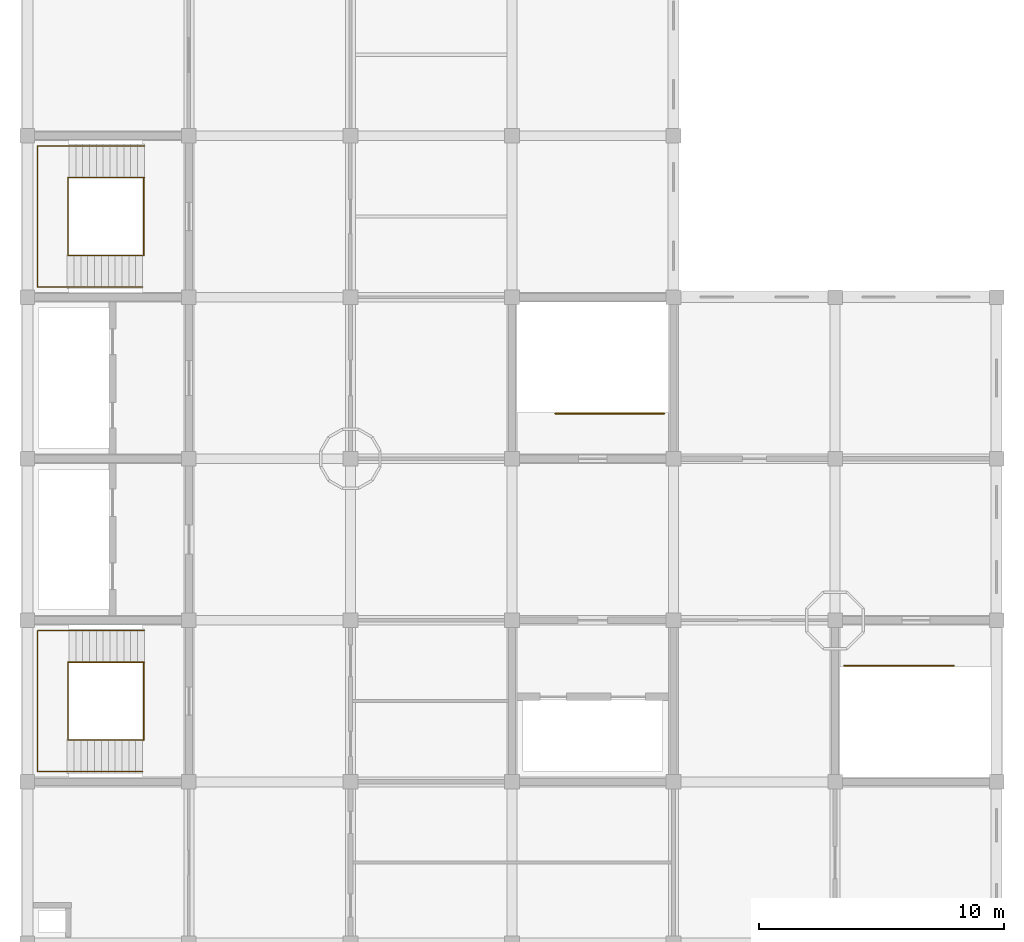
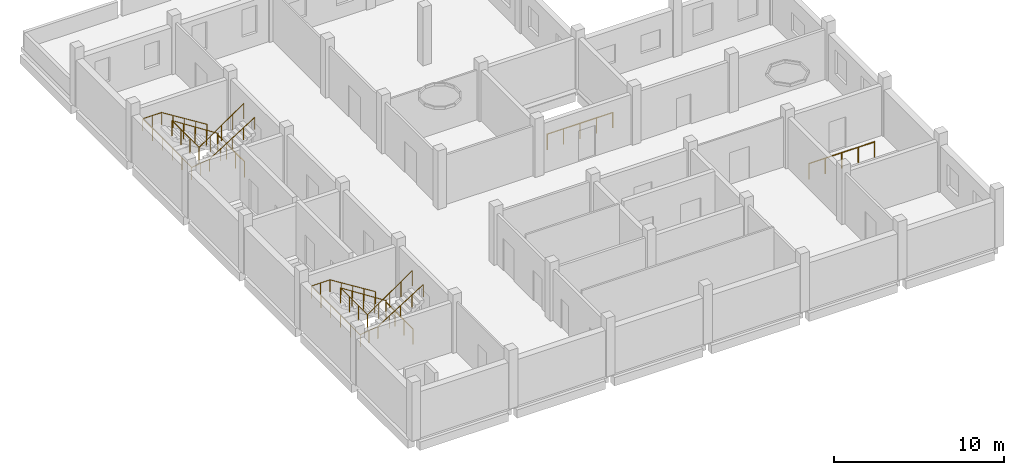
# One storey, part 6 of 6: 8 railings.
"""IFC4 building model written with IfcOpenShell, lengths in metres."""

from ifc_helpers import new_model, si_unit, direction, frame, origin, origin_2d, place, context, subcontext, project, spatial, circle, extrude, material, type_object, element, save


model = new_model("IFC4")

# Units and contexts
model_context = context("Model", 3, precision=1e-05, world=origin(), true_north=direction((0.0, 1.0)))
body_context = subcontext(model_context, "Body", "Model", "MODEL_VIEW")
ifc_project = project(units=[si_unit("LENGTHUNIT", "METRE"), si_unit("AREAUNIT", "SQUARE_METRE"), si_unit("VOLUMEUNIT", "CUBIC_METRE"), si_unit("PLANEANGLEUNIT", "RADIAN"), si_unit("MASSUNIT", "GRAM", prefix="KILO")], contexts=[model_context])

# Site, building, storey
site_placement = place(None, origin())
site = spatial("IfcSite", under=ifc_project, at=site_placement, CompositionType="ELEMENT")
building_placement = place(site_placement, origin())
building = spatial("IfcBuilding", under=site, at=building_placement, Name="Rusizi Kubbe Research Institute", CompositionType="ELEMENT")
storey_placement = place(building_placement, frame((0.0, 0.0, 69.0)))
storey = spatial("IfcBuildingStorey", under=building, at=storey_placement, Name="L16", CompositionType="ELEMENT", Elevation=69.0)

# Railings
ifc_material_1 = material(Name="Painted Steel Stair Guard", Category="steel")
railing_type_1 = type_object("IfcRailingType", Name="GR-STAIR", PredefinedType="GUARDRAIL", material=ifc_material_1)
railing_1_placement = place(storey_placement, frame((4.780029296875, 11.489990234375, 0.08740234375)))
element("IfcRailing", 1, at=railing_1_placement, inside=storey, type_object=railing_type_1, Name="Stair Inner Well Guard ST1 L16", PredefinedType="GUARDRAIL", context=body_context, shape_type="SweptSolid", body=[
    extrude(circle(Radius=0.02392578125, at=origin_2d()), frame((0.0, 0.0, 1.09619140625), z_axis=(-0.840331431664, 0.0, 0.542072951693), x_axis=(0.0, -1.0, 0.0)), (0.0, 0.0, 1.0), 3.712890625),
    extrude(circle(Radius=0.02392578125, at=origin_2d()), frame((-3.1201171875, 0.0, 3.10888671875), z_axis=(0.0, -1.0, 0.0), x_axis=(1.0, 0.0, 0.0)), (0.0, 0.0, 1.0), 3.179931640625),
    extrude(circle(Radius=0.02392578125, at=origin_2d()), frame((-3.1201171875, -3.179931640625, 3.10888671875), z_axis=(0.822798317177, 0.0, 0.568333466595), x_axis=(0.0, 1.0, 0.0)), (0.0, 0.0, 1.0), 3.69482421875),
    extrude(circle(Radius=0.02099609375, at=origin_2d()), origin(), (0.0, 0.0, 1.0), 1.072021484375),
    extrude(circle(Radius=0.02099609375, at=origin_2d()), frame((-0.780029296875, 0.0, 0.503173828125)), (0.0, 0.0, 1.0), 1.072021484375),
    extrude(circle(Radius=0.02099609375, at=origin_2d()), frame((-1.56005859375, 0.0, 1.00634765625)), (0.0, 0.0, 1.0), 1.072021484375),
    extrude(circle(Radius=0.02099609375, at=origin_2d()), frame((-2.340087890625, 0.0, 1.509521484375)), (0.0, 0.0, 1.0), 1.072021484375),
    extrude(circle(Radius=0.02099609375, at=origin_2d()), frame((-3.1201171875, 0.0, 2.0126953125)), (0.0, 0.0, 1.0), 1.072021484375),
    extrude(circle(Radius=0.02099609375, at=origin_2d()), frame((-3.1201171875, -1.06005859375, 2.0126953125)), (0.0, 0.0, 1.0), 1.072021484375),
    extrude(circle(Radius=0.02099609375, at=origin_2d()), frame((-3.1201171875, -2.119873046875, 2.0126953125)), (0.0, 0.0, 1.0), 1.072021484375),
    extrude(circle(Radius=0.02099609375, at=origin_2d()), frame((-3.1201171875, -3.179931640625, 2.0126953125)), (0.0, 0.0, 1.0), 1.072021484375),
    extrude(circle(Radius=0.02099609375, at=origin_2d()), frame((-2.360107421875, -3.179931640625, 2.53759765625)), (0.0, 0.0, 1.0), 1.072021484375),
    extrude(circle(Radius=0.02099609375, at=origin_2d()), frame((-1.60009765625, -3.179931640625, 3.0625)), (0.0, 0.0, 1.0), 1.072021484375),
    extrude(circle(Radius=0.02099609375, at=origin_2d()), frame((-0.840087890625, -3.179931640625, 3.587646484375)), (0.0, 0.0, 1.0), 1.072021484375),
    extrude(circle(Radius=0.02099609375, at=origin_2d()), frame((-0.080078125, -3.179931640625, 4.112548828125)), (0.0, 0.0, 1.0), 1.072021484375),
])
railing_2_placement = place(storey_placement, frame((4.75, 11.489990234375, 0.0)))
element("IfcRailing", 2, at=railing_2_placement, inside=storey, type_object=railing_type_1, Name="Stair Floor Edge Guard ST1 L16", PredefinedType="GUARDRAIL", context=body_context, shape_type="SweptSolid", body=[
    extrude(circle(Radius=0.02392578125, at=origin_2d()), frame((0.0, 0.0, 1.09619140625), z_axis=(0.0, -1.0, 0.0), x_axis=(1.0, 0.0, 0.0)), (0.0, 0.0, 1.0), 3.179931640625),
    extrude(circle(Radius=0.02099609375, at=origin_2d()), origin(), (0.0, 0.0, 1.0), 1.072021484375),
    extrude(circle(Radius=0.02099609375, at=origin_2d()), frame((0.0, -1.06005859375, 0.0)), (0.0, 0.0, 1.0), 1.072021484375),
    extrude(circle(Radius=0.02099609375, at=origin_2d()), frame((0.0, -2.119873046875, 0.0)), (0.0, 0.0, 1.0), 1.072021484375),
    extrude(circle(Radius=0.02099609375, at=origin_2d()), frame((0.0, -3.179931640625, 0.0)), (0.0, 0.0, 1.0), 1.072021484375),
])
railing_3_placement = place(storey_placement, frame((4.780029296875, 31.2900390625, 0.08740234375)))
element("IfcRailing", 3, at=railing_3_placement, inside=storey, type_object=railing_type_1, Name="Stair Inner Well Guard ST2 L16", PredefinedType="GUARDRAIL", context=body_context, shape_type="SweptSolid", body=[
    extrude(circle(Radius=0.02392578125, at=origin_2d()), frame((0.0, 0.0, 1.09619140625), z_axis=(-0.840331431664, 0.0, 0.542072951693), x_axis=(0.0, -1.0, 0.0)), (0.0, 0.0, 1.0), 3.712890625),
    extrude(circle(Radius=0.02392578125, at=origin_2d()), frame((-3.1201171875, 0.0, 3.10888671875), z_axis=(0.0, -1.0, 0.0), x_axis=(1.0, 0.0, 0.0)), (0.0, 0.0, 1.0), 3.179931640625),
    extrude(circle(Radius=0.02392578125, at=origin_2d()), frame((-3.1201171875, -3.179931640625, 3.10888671875), z_axis=(0.822798317177, 0.0, 0.568333466595), x_axis=(0.0, 1.0, 0.0)), (0.0, 0.0, 1.0), 3.69482421875),
    extrude(circle(Radius=0.02099609375, at=origin_2d()), origin(), (0.0, 0.0, 1.0), 1.072021484375),
    extrude(circle(Radius=0.02099609375, at=origin_2d()), frame((-0.780029296875, 0.0, 0.503173828125)), (0.0, 0.0, 1.0), 1.072021484375),
    extrude(circle(Radius=0.02099609375, at=origin_2d()), frame((-1.56005859375, 0.0, 1.00634765625)), (0.0, 0.0, 1.0), 1.072021484375),
    extrude(circle(Radius=0.02099609375, at=origin_2d()), frame((-2.340087890625, 0.0, 1.509521484375)), (0.0, 0.0, 1.0), 1.072021484375),
    extrude(circle(Radius=0.02099609375, at=origin_2d()), frame((-3.1201171875, 0.0, 2.0126953125)), (0.0, 0.0, 1.0), 1.072021484375),
    extrude(circle(Radius=0.02099609375, at=origin_2d()), frame((-3.1201171875, -1.06005859375, 2.0126953125)), (0.0, 0.0, 1.0), 1.072021484375),
    extrude(circle(Radius=0.02099609375, at=origin_2d()), frame((-3.1201171875, -2.119873046875, 2.0126953125)), (0.0, 0.0, 1.0), 1.072021484375),
    extrude(circle(Radius=0.02099609375, at=origin_2d()), frame((-3.1201171875, -3.179931640625, 2.0126953125)), (0.0, 0.0, 1.0), 1.072021484375),
    extrude(circle(Radius=0.02099609375, at=origin_2d()), frame((-2.360107421875, -3.179931640625, 2.53759765625)), (0.0, 0.0, 1.0), 1.072021484375),
    extrude(circle(Radius=0.02099609375, at=origin_2d()), frame((-1.60009765625, -3.179931640625, 3.0625)), (0.0, 0.0, 1.0), 1.072021484375),
    extrude(circle(Radius=0.02099609375, at=origin_2d()), frame((-0.840087890625, -3.179931640625, 3.587646484375)), (0.0, 0.0, 1.0), 1.072021484375),
    extrude(circle(Radius=0.02099609375, at=origin_2d()), frame((-0.080078125, -3.179931640625, 4.112548828125)), (0.0, 0.0, 1.0), 1.072021484375),
])
railing_4_placement = place(storey_placement, frame((4.75, 31.2900390625, 0.0)))
element("IfcRailing", 4, at=railing_4_placement, inside=storey, type_object=railing_type_1, Name="Stair Floor Edge Guard ST2 L16", PredefinedType="GUARDRAIL", context=body_context, shape_type="SweptSolid", body=[
    extrude(circle(Radius=0.02392578125, at=origin_2d()), frame((0.0, 0.0, 1.09619140625), z_axis=(0.0, -1.0, 0.0), x_axis=(1.0, 0.0, 0.0)), (0.0, 0.0, 1.0), 3.179931640625),
    extrude(circle(Radius=0.02099609375, at=origin_2d()), origin(), (0.0, 0.0, 1.0), 1.072021484375),
    extrude(circle(Radius=0.02099609375, at=origin_2d()), frame((0.0, -1.06005859375, 0.0)), (0.0, 0.0, 1.0), 1.072021484375),
    extrude(circle(Radius=0.02099609375, at=origin_2d()), frame((0.0, -2.119873046875, 0.0)), (0.0, 0.0, 1.0), 1.072021484375),
    extrude(circle(Radius=0.02099609375, at=origin_2d()), frame((0.0, -3.179931640625, 0.0)), (0.0, 0.0, 1.0), 1.072021484375),
])
railing_5_placement = place(storey_placement, frame((26.02001953125, 21.64990234375, 0.0)))
element("IfcRailing", 5, at=railing_5_placement, inside=storey, type_object=railing_type_1, Name="Top Landing Well Guard ST3 L16", PredefinedType="GUARDRAIL", context=body_context, shape_type="SweptSolid", body=[
    extrude(circle(Radius=0.02392578125, at=origin_2d()), frame((0.0, 0.0, 1.09619140625), z_axis=(-1.0, 0.0, 0.0), x_axis=(0.0, -1.0, 0.0)), (0.0, 0.0, 1.0), 4.4599609375),
    extrude(circle(Radius=0.02099609375, at=origin_2d()), origin(), (0.0, 0.0, 1.0), 1.072021484375),
    extrude(circle(Radius=0.02099609375, at=origin_2d()), frame((-1.114990234375, 0.0, 0.0)), (0.0, 0.0, 1.0), 1.072021484375),
    extrude(circle(Radius=0.02099609375, at=origin_2d()), frame((-2.22998046875, 0.0, 0.0)), (0.0, 0.0, 1.0), 1.072021484375),
    extrude(circle(Radius=0.02099609375, at=origin_2d()), frame((-3.344970703125, 0.0, 0.0)), (0.0, 0.0, 1.0), 1.072021484375),
    extrude(circle(Radius=0.02099609375, at=origin_2d()), frame((-4.4599609375, 0.0, 0.0)), (0.0, 0.0, 1.0), 1.072021484375),
])
railing_6_placement = place(storey_placement, frame((33.3798828125, 11.35009765625, 0.0)))
element("IfcRailing", 6, at=railing_6_placement, inside=storey, type_object=railing_type_1, Name="Top Landing Well Guard ST4 L16", PredefinedType="GUARDRAIL", context=body_context, shape_type="SweptSolid", body=[
    extrude(circle(Radius=0.02392578125, at=origin_2d()), frame((0.0, 0.0, 1.09619140625), z_axis=(1.0, 0.0, 0.0), x_axis=(0.0, 1.0, 0.0)), (0.0, 0.0, 1.0), 4.460205078125),
    extrude(circle(Radius=0.02099609375, at=origin_2d()), origin(), (0.0, 0.0, 1.0), 1.072021484375),
    extrude(circle(Radius=0.02099609375, at=origin_2d()), frame((1.114990234375, 0.0, 0.0)), (0.0, 0.0, 1.0), 1.072021484375),
    extrude(circle(Radius=0.02099609375, at=origin_2d()), frame((2.22998046875, 0.0, 0.0)), (0.0, 0.0, 1.0), 1.072021484375),
    extrude(circle(Radius=0.02099609375, at=origin_2d()), frame((3.34521484375, 0.0, 0.0)), (0.0, 0.0, 1.0), 1.072021484375),
    extrude(circle(Radius=0.02099609375, at=origin_2d()), frame((4.460205078125, 0.0, 0.0)), (0.0, 0.0, 1.0), 1.072021484375),
])
ifc_material_2 = material(Name="Brushed Stainless Steel Handrail", Category="steel")
railing_type_2 = type_object("IfcRailingType", Name="HR-STAIR", PredefinedType="HANDRAIL", material=ifc_material_2)
railing_7_placement = place(storey_placement, frame((4.780029296875, 12.780029296875, 0.175048828125)))
element("IfcRailing", 7, at=railing_7_placement, inside=storey, type_object=railing_type_2, Name="Stair Wall Handrail ST1 L16", PredefinedType="HANDRAIL", context=body_context, shape_type="SweptSolid", body=[
    extrude(circle(Radius=0.02392578125, at=origin_2d()), frame((0.0, 0.0, 0.8759765625), z_axis=(-0.847998304005, 0.0, 0.529998940003), x_axis=(0.0, -1.0, 0.0)), (0.0, 0.0, 1.0), 3.632080078125),
    extrude(circle(Radius=0.02392578125, at=origin_2d()), frame((-3.080078125, 0.0, 2.80078125), z_axis=(-1.0, 0.0, 0.0), x_axis=(0.0, -1.0, 0.0)), (0.0, 0.0, 1.0), 1.280029296875),
    extrude(circle(Radius=0.02392578125, at=origin_2d()), frame((-4.360107421875, 0.0, 2.80078125), z_axis=(0.0, -1.0, 0.0), x_axis=(1.0, 0.0, 0.0)), (0.0, 0.0, 1.0), 5.760009765625),
    extrude(circle(Radius=0.02392578125, at=origin_2d()), frame((-4.360107421875, -5.760009765625, 2.80078125), z_axis=(0.98965895042, 0.0, 0.143440447065), x_axis=(0.0, 1.0, 0.0)), (0.0, 0.0, 1.0), 1.21875),
    extrude(circle(Radius=0.02392578125, at=origin_2d()), frame((-3.154052734375, -5.760009765625, 2.9755859375), z_axis=(0.847525270172, 0.0, 0.530755043706), x_axis=(0.0, 1.0, 0.0)), (0.0, 0.0, 1.0), 3.626953125),
    extrude(circle(Radius=0.02099609375, at=origin_2d()), origin(), (0.0, 0.0, 1.0), 0.851806640625),
    extrude(circle(Radius=0.02099609375, at=origin_2d()), frame((-0.77001953125, 0.0, 0.481201171875)), (0.0, 0.0, 1.0), 0.851806640625),
    extrude(circle(Radius=0.02099609375, at=origin_2d()), frame((-1.5400390625, 0.0, 0.96240234375)), (0.0, 0.0, 1.0), 0.851806640625),
    extrude(circle(Radius=0.02099609375, at=origin_2d()), frame((-2.31005859375, 0.0, 1.44384765625)), (0.0, 0.0, 1.0), 0.851806640625),
    extrude(circle(Radius=0.02099609375, at=origin_2d()), frame((-3.080078125, 0.0, 1.925048828125)), (0.0, 0.0, 1.0), 0.851806640625),
    extrude(circle(Radius=0.02099609375, at=origin_2d()), frame((-3.72021484375, 0.0, 1.925048828125)), (0.0, 0.0, 1.0), 0.851806640625),
    extrude(circle(Radius=0.02099609375, at=origin_2d()), frame((-4.360107421875, 0.0, 1.925048828125)), (0.0, 0.0, 1.0), 0.851806640625),
    extrude(circle(Radius=0.02099609375, at=origin_2d()), frame((-4.360107421875, -1.152099609375, 1.925048828125)), (0.0, 0.0, 1.0), 0.851806640625),
    extrude(circle(Radius=0.02099609375, at=origin_2d()), frame((-4.360107421875, -2.303955078125, 1.925048828125)), (0.0, 0.0, 1.0), 0.851806640625),
    extrude(circle(Radius=0.02099609375, at=origin_2d()), frame((-4.360107421875, -3.4560546875, 1.925048828125)), (0.0, 0.0, 1.0), 0.851806640625),
    extrude(circle(Radius=0.02099609375, at=origin_2d()), frame((-4.360107421875, -4.60791015625, 1.925048828125)), (0.0, 0.0, 1.0), 0.851806640625),
    extrude(circle(Radius=0.02099609375, at=origin_2d()), frame((-4.360107421875, -5.760009765625, 1.925048828125)), (0.0, 0.0, 1.0), 0.851806640625),
    extrude(circle(Radius=0.02099609375, at=origin_2d()), frame((-3.757080078125, -5.760009765625, 2.012451171875)), (0.0, 0.0, 1.0), 0.851806640625),
    extrude(circle(Radius=0.02099609375, at=origin_2d()), frame((-3.154052734375, -5.760009765625, 2.099853515625)), (0.0, 0.0, 1.0), 0.851806640625),
    extrude(circle(Radius=0.02099609375, at=origin_2d()), frame((-2.385498046875, -5.760009765625, 2.5810546875)), (0.0, 0.0, 1.0), 0.851806640625),
    extrude(circle(Radius=0.02099609375, at=origin_2d()), frame((-1.6171875, -5.760009765625, 3.0625)), (0.0, 0.0, 1.0), 0.851806640625),
    extrude(circle(Radius=0.02099609375, at=origin_2d()), frame((-0.8486328125, -5.760009765625, 3.543701171875)), (0.0, 0.0, 1.0), 0.851806640625),
    extrude(circle(Radius=0.02099609375, at=origin_2d()), frame((-0.080078125, -5.760009765625, 4.02490234375)), (0.0, 0.0, 1.0), 0.851806640625),
])
railing_8_placement = place(storey_placement, frame((4.780029296875, 32.580078125, 0.175048828125)))
element("IfcRailing", 8, at=railing_8_placement, inside=storey, type_object=railing_type_2, Name="Stair Wall Handrail ST2 L16", PredefinedType="HANDRAIL", context=body_context, shape_type="SweptSolid", body=[
    extrude(circle(Radius=0.02392578125, at=origin_2d()), frame((0.0, 0.0, 0.8759765625), z_axis=(-0.847998304005, 0.0, 0.529998940003), x_axis=(0.0, -1.0, 0.0)), (0.0, 0.0, 1.0), 3.632080078125),
    extrude(circle(Radius=0.02392578125, at=origin_2d()), frame((-3.080078125, 0.0, 2.80078125), z_axis=(-1.0, 0.0, 0.0), x_axis=(0.0, -1.0, 0.0)), (0.0, 0.0, 1.0), 1.280029296875),
    extrude(circle(Radius=0.02392578125, at=origin_2d()), frame((-4.360107421875, 0.0, 2.80078125), z_axis=(0.0, -1.0, 0.0), x_axis=(1.0, 0.0, 0.0)), (0.0, 0.0, 1.0), 5.760009765625),
    extrude(circle(Radius=0.02392578125, at=origin_2d()), frame((-4.360107421875, -5.760009765625, 2.80078125), z_axis=(0.98965895042, 0.0, 0.143440447065), x_axis=(0.0, 1.0, 0.0)), (0.0, 0.0, 1.0), 1.21875),
    extrude(circle(Radius=0.02392578125, at=origin_2d()), frame((-3.154052734375, -5.760009765625, 2.9755859375), z_axis=(0.847525270172, 0.0, 0.530755043706), x_axis=(0.0, 1.0, 0.0)), (0.0, 0.0, 1.0), 3.626953125),
    extrude(circle(Radius=0.02099609375, at=origin_2d()), origin(), (0.0, 0.0, 1.0), 0.851806640625),
    extrude(circle(Radius=0.02099609375, at=origin_2d()), frame((-0.77001953125, 0.0, 0.481201171875)), (0.0, 0.0, 1.0), 0.851806640625),
    extrude(circle(Radius=0.02099609375, at=origin_2d()), frame((-1.5400390625, 0.0, 0.96240234375)), (0.0, 0.0, 1.0), 0.851806640625),
    extrude(circle(Radius=0.02099609375, at=origin_2d()), frame((-2.31005859375, 0.0, 1.44384765625)), (0.0, 0.0, 1.0), 0.851806640625),
    extrude(circle(Radius=0.02099609375, at=origin_2d()), frame((-3.080078125, 0.0, 1.925048828125)), (0.0, 0.0, 1.0), 0.851806640625),
    extrude(circle(Radius=0.02099609375, at=origin_2d()), frame((-3.72021484375, 0.0, 1.925048828125)), (0.0, 0.0, 1.0), 0.851806640625),
    extrude(circle(Radius=0.02099609375, at=origin_2d()), frame((-4.360107421875, 0.0, 1.925048828125)), (0.0, 0.0, 1.0), 0.851806640625),
    extrude(circle(Radius=0.02099609375, at=origin_2d()), frame((-4.360107421875, -1.152099609375, 1.925048828125)), (0.0, 0.0, 1.0), 0.851806640625),
    extrude(circle(Radius=0.02099609375, at=origin_2d()), frame((-4.360107421875, -2.303955078125, 1.925048828125)), (0.0, 0.0, 1.0), 0.851806640625),
    extrude(circle(Radius=0.02099609375, at=origin_2d()), frame((-4.360107421875, -3.4560546875, 1.925048828125)), (0.0, 0.0, 1.0), 0.851806640625),
    extrude(circle(Radius=0.02099609375, at=origin_2d()), frame((-4.360107421875, -4.60791015625, 1.925048828125)), (0.0, 0.0, 1.0), 0.851806640625),
    extrude(circle(Radius=0.02099609375, at=origin_2d()), frame((-4.360107421875, -5.760009765625, 1.925048828125)), (0.0, 0.0, 1.0), 0.851806640625),
    extrude(circle(Radius=0.02099609375, at=origin_2d()), frame((-3.757080078125, -5.760009765625, 2.012451171875)), (0.0, 0.0, 1.0), 0.851806640625),
    extrude(circle(Radius=0.02099609375, at=origin_2d()), frame((-3.154052734375, -5.760009765625, 2.099853515625)), (0.0, 0.0, 1.0), 0.851806640625),
    extrude(circle(Radius=0.02099609375, at=origin_2d()), frame((-2.385498046875, -5.760009765625, 2.5810546875)), (0.0, 0.0, 1.0), 0.851806640625),
    extrude(circle(Radius=0.02099609375, at=origin_2d()), frame((-1.6171875, -5.760009765625, 3.0625)), (0.0, 0.0, 1.0), 0.851806640625),
    extrude(circle(Radius=0.02099609375, at=origin_2d()), frame((-0.8486328125, -5.760009765625, 3.543701171875)), (0.0, 0.0, 1.0), 0.851806640625),
    extrude(circle(Radius=0.02099609375, at=origin_2d()), frame((-0.080078125, -5.760009765625, 4.02490234375)), (0.0, 0.0, 1.0), 0.851806640625),
])

save(model, "model.ifc")
